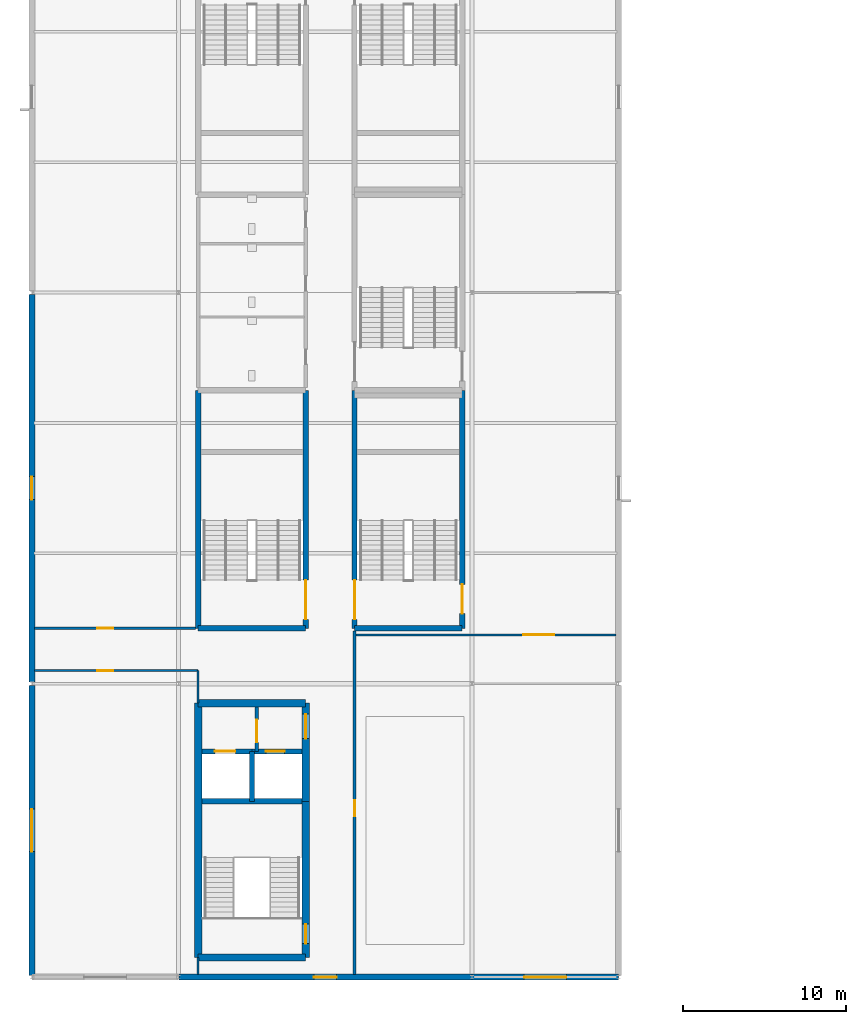
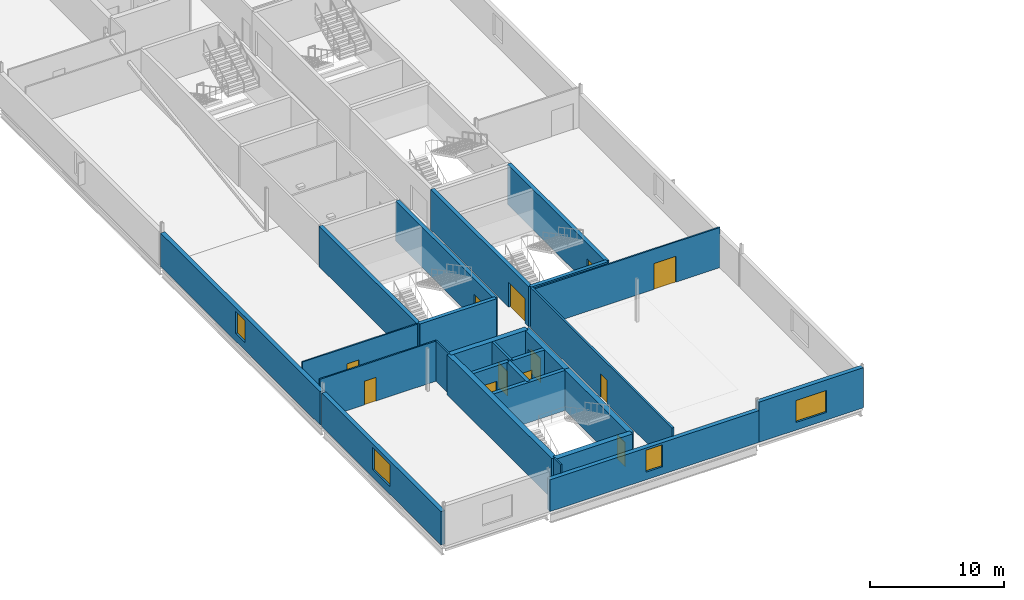
# One storey, part 19 of 35: 26 walls, 12 doors, 4 windows, 16 openings.
"""IFC4 building model written with IfcOpenShell, lengths in metres."""

from ifc_helpers import new_model, si_unit, direction, frame, frame_2d, origin, place, context, subcontext, project, spatial, rectangle, extrude, material, layer, layer_set, type_object, element, fill, save


model = new_model("IFC4")

# Units and contexts
model_context = context("Model", 3, precision=1e-05, world=origin(), true_north=direction((0.0, 1.0)))
body_context = subcontext(model_context, "Body", "Model", "MODEL_VIEW")
ifc_project = project(units=[si_unit("LENGTHUNIT", "METRE"), si_unit("AREAUNIT", "SQUARE_METRE"), si_unit("VOLUMEUNIT", "CUBIC_METRE"), si_unit("PLANEANGLEUNIT", "RADIAN"), si_unit("MASSUNIT", "GRAM", prefix="KILO")], contexts=[model_context])

# Site, building, storey
site_placement = place(None, origin())
site = spatial("IfcSite", under=ifc_project, at=site_placement, CompositionType="ELEMENT")
building_placement = place(site_placement, origin())
building = spatial("IfcBuilding", under=site, at=building_placement, Name="Kisiwana Market Hall", CompositionType="ELEMENT")
storey_placement = place(building_placement, frame((0.0, 0.0, 57.89990234375)))
storey = spatial("IfcBuildingStorey", under=building, at=storey_placement, Name="L13", CompositionType="ELEMENT", Elevation=57.89990234375)

# Wall, opening, door
ifc_material_1 = material(Name="Masonry blockwork", Category="masonry")
ifc_layer_1 = layer(ifc_material_1, 0.199951171875, Name="Plastered fire compartment block wall")
ifc_layer_set_1 = layer_set([ifc_layer_1], Name="WL-COMP-200")
wall_type_1 = type_object("IfcWallType", Name="WL-COMP-200", PredefinedType="PARTITIONING", material=ifc_layer_set_1)
wall_1_placement = place(storey_placement, frame((13.800048828125, 31.844970703125, 0.0), z_axis=(0.0, 0.0, 1.0), x_axis=(0.0, 1.0, 0.0)))
wall_1 = element("IfcWall", 1, at=wall_1_placement, inside=storey, type_object=wall_type_1, Name="Core W2 firefighting lobby wall W-3161", PredefinedType="PARTITIONING", context=body_context, shape_type="SweptSolid", body=[
    extrude(rectangle(XDim=2.72998046875, YDim=0.199951171875, at=frame_2d((1.364990234375, 0.0))), origin(), (0.0, 0.0, 1.0), 3.655029296875),
])
opening_1_placement = place(wall_1_placement, frame((0.550048828125, 0.0, 0.0)))
opening_1 = element("IfcOpeningElement", 2, at=opening_1_placement, cuts=wall_1, Name="Opening DR-L13-003", PredefinedType="OPENING", context=body_context, shape_type="SweptSolid", body=[
    extrude(rectangle(XDim=1.39990234375, YDim=2.25, at=frame_2d((0.699951171875, 1.125))), frame((0.0, 0.11181640625, 0.0), z_axis=(0.0, -1.0, 0.0), x_axis=(1.0, 0.0, 0.0)), (0.0, 0.0, 1.0), 0.223876953125),
])
ifc_material_2 = material(Name="Steel S275", Category="steel")
door_type_1 = type_object("IfcDoorType", Name="DR-FFLOB-FD120-1400", OperationType="DOUBLE_DOOR_SINGLE_SWING", PredefinedType="DOOR", material=ifc_material_2)
door_1_placement = place(opening_1_placement, frame((1.39990234375, 0.0, 0.0), z_axis=(0.0, 0.0, 1.0), x_axis=(-1.0, 0.0, 0.0)))
door_1 = element("IfcDoor", 3, at=door_1_placement, inside=storey, type_object=door_type_1, Name="Firefighting Lift Lobby W2 Door (L13)", OperationType="DOUBLE_DOOR_SINGLE_SWING", OverallHeight=2.25, OverallWidth=1.39990234375, PredefinedType="DOOR", context=body_context, shape_type="SweptSolid", body=[
    extrude(rectangle(XDim=1.39990234375, YDim=2.25, at=frame_2d((0.699951171875, 1.125))), frame((0.0, 0.02490234375, 0.0), z_axis=(0.0, -1.0, 0.0), x_axis=(1.0, 0.0, 0.0)), (0.0, 0.0, 1.0), 0.050048828125),
])
fill(opening_1, door_1)

# Walls
ifc_material_3 = material(Name="Concrete C40/50", Category="concrete")
ifc_layer_2 = layer(ifc_material_3, 0.320068359375, Name="Reinforced concrete shaft wall")
ifc_layer_set_2 = layer_set([ifc_layer_2], Name="WL-CORE-320")
wall_type_2 = type_object("IfcWallType", Name="WL-CORE-320", PredefinedType="SHEAR", material=ifc_layer_set_2)
wall_2_placement = place(storey_placement, frame((10.425048828125, 28.784912109375, 0.0), z_axis=(0.0, 0.0, 1.0), x_axis=(1.0, 0.0, 0.0)))
element("IfcWall", 4, at=wall_2_placement, inside=storey, type_object=wall_type_2, Name="Core W2 shaft back shear wall W-3054", PredefinedType="SHEAR", context=body_context, shape_type="SweptSolid", body=[
    extrude(rectangle(XDim=6.14990234375, YDim=0.320068359375, at=frame_2d((3.074951171875, 0.0))), origin(), (0.0, 0.0, 1.0), 3.655029296875),
])
wall_3_placement = place(storey_placement, frame((13.5, 28.784912109375, 0.0), z_axis=(0.0, 0.0, 1.0), x_axis=(0.0, 1.0, 0.0)))
element("IfcWall", 5, at=wall_3_placement, inside=storey, type_object=wall_type_2, Name="Core W2 inter-shaft shear wall W-3055", PredefinedType="SHEAR", context=body_context, shape_type="SweptSolid", body=[
    extrude(rectangle(XDim=3.06005859375, YDim=0.320068359375, at=frame_2d((1.530029296875, 0.0))), origin(), (0.0, 0.0, 1.0), 3.655029296875),
])

# Wall, opening, door
wall_4_placement = place(storey_placement, frame((10.425048828125, 31.844970703125, 0.0), z_axis=(0.0, 0.0, 1.0), x_axis=(1.0, 0.0, 0.0)))
wall_4 = element("IfcWall", 6, at=wall_4_placement, inside=storey, type_object=wall_type_2, Name="Core W2 west lift front wall W-3056", PredefinedType="SHEAR", context=body_context, shape_type="SweptSolid", body=[
    extrude(rectangle(XDim=3.074951171875, YDim=0.320068359375, at=frame_2d((1.53759765625, 0.0))), origin(), (0.0, 0.0, 1.0), 3.655029296875),
])
opening_2_placement = place(wall_4_placement, frame((0.800048828125, 0.0, 0.0)))
opening_2 = element("IfcOpeningElement", 7, at=opening_2_placement, cuts=wall_4, Name="Opening LD-L13-001", PredefinedType="OPENING", context=body_context, shape_type="SweptSolid", body=[
    extrude(rectangle(XDim=1.25, YDim=2.25, at=frame_2d((0.625, 1.125))), frame((0.0, 0.171875, 0.0), z_axis=(0.0, -1.0, 0.0), x_axis=(1.0, 0.0, 0.0)), (0.0, 0.0, 1.0), 0.343994140625),
])
ifc_material_4 = material(Name="Steel S275", Category="steel")
door_type_2 = type_object("IfcDoorType", Name="DR-LIFT-FFL-1250", OperationType="DOUBLE_DOOR_SLIDING", PredefinedType="DOOR", material=ifc_material_4)
door_2_placement = place(opening_2_placement, origin())
door_2 = element("IfcDoor", 8, at=door_2_placement, inside=storey, type_object=door_type_2, Name="Lift Landing Door FFL-01 (L13)", OperationType="DOUBLE_DOOR_SLIDING", OverallHeight=2.25, OverallWidth=1.25, PredefinedType="DOOR", context=body_context, shape_type="SweptSolid", body=[
    extrude(rectangle(XDim=1.25, YDim=2.25, at=frame_2d((0.625, 1.125))), frame((0.0, 0.02490234375, 0.0), z_axis=(0.0, -1.0, 0.0), x_axis=(1.0, 0.0, 0.0)), (0.0, 0.0, 1.0), 0.050048828125),
])
fill(opening_2, door_2)

wall_5_placement = place(storey_placement, frame((13.5, 31.844970703125, 0.0), z_axis=(0.0, 0.0, 1.0), x_axis=(1.0, 0.0, 0.0)))
wall_5 = element("IfcWall", 9, at=wall_5_placement, inside=storey, type_object=wall_type_2, Name="Core W2 east lift front wall W-3057", PredefinedType="SHEAR", context=body_context, shape_type="SweptSolid", body=[
    extrude(rectangle(XDim=3.074951171875, YDim=0.320068359375, at=frame_2d((1.53759765625, 0.0))), origin(), (0.0, 0.0, 1.0), 3.655029296875),
])
opening_3_placement = place(wall_5_placement, frame((0.85009765625, 0.0, 0.0)))
opening_3 = element("IfcOpeningElement", 10, at=opening_3_placement, cuts=wall_5, Name="Opening LD-L13-002", PredefinedType="OPENING", context=body_context, shape_type="SweptSolid", body=[
    extrude(rectangle(XDim=1.14990234375, YDim=2.199951171875, at=frame_2d((0.574951171875, 1.10009765625))), frame((0.0, 0.171875, 0.0), z_axis=(0.0, -1.0, 0.0), x_axis=(1.0, 0.0, 0.0)), (0.0, 0.0, 1.0), 0.343994140625),
])
ifc_material_5 = material(Name="Steel S275", Category="steel")
door_type_3 = type_object("IfcDoorType", Name="DR-LIFT-PAX-1150", OperationType="DOUBLE_DOOR_SLIDING", PredefinedType="DOOR", material=ifc_material_5)
door_3_placement = place(opening_3_placement, origin())
door_3 = element("IfcDoor", 11, at=door_3_placement, inside=storey, type_object=door_type_3, Name="Lift Landing Door LP-01 (L13)", OperationType="DOUBLE_DOOR_SLIDING", OverallHeight=2.199951171875, OverallWidth=1.14990234375, PredefinedType="DOOR", context=body_context, shape_type="SweptSolid", body=[
    extrude(rectangle(XDim=1.14990234375, YDim=2.199951171875, at=frame_2d((0.574951171875, 1.10009765625))), frame((0.0, 0.02490234375, 0.0), z_axis=(0.0, -1.0, 0.0), x_axis=(1.0, 0.0, 0.0)), (0.0, 0.0, 1.0), 0.050048828125),
])
fill(opening_3, door_3)

# Walls
wall_6_placement = place(storey_placement, frame((10.199951171875, 39.39990234375, 0.0), z_axis=(0.0, 0.0, 1.0), x_axis=(1.0, 0.0, 0.0)))
element("IfcWall", 12, at=wall_6_placement, inside=storey, type_object=wall_type_2, Name="Core W3 south shear wall W-3085", PredefinedType="SHEAR", context=body_context, shape_type="SweptSolid", body=[
    extrude(rectangle(XDim=6.60009765625, YDim=0.320068359375, at=frame_2d((3.300048828125, 0.0))), origin(), (0.0, 0.0, 1.0), 3.655029296875),
])
wall_7_placement = place(storey_placement, frame((10.199951171875, 39.39990234375, 0.0), z_axis=(0.0, 0.0, 1.0), x_axis=(0.0, 1.0, 0.0)))
element("IfcWall", 13, at=wall_7_placement, inside=storey, type_object=wall_type_2, Name="Core W3 outer shear wall W-3087", PredefinedType="SHEAR", context=body_context, shape_type="SweptSolid", body=[
    extrude(rectangle(XDim=14.60009765625, YDim=0.320068359375, at=frame_2d((7.300048828125, 0.0))), origin(), (0.0, 0.0, 1.0), 3.655029296875),
])

# Wall, opening, door
wall_8_placement = place(storey_placement, frame((16.800048828125, 39.39990234375, 0.0), z_axis=(0.0, 0.0, 1.0), x_axis=(0.0, 1.0, 0.0)))
wall_8 = element("IfcWall", 14, at=wall_8_placement, inside=storey, type_object=wall_type_2, Name="Core W3 corridor shear wall W-3088", PredefinedType="SHEAR", context=body_context, shape_type="SweptSolid", body=[
    extrude(rectangle(XDim=14.60009765625, YDim=0.320068359375, at=frame_2d((7.300048828125, 0.0))), origin(), (0.0, 0.0, 1.0), 3.655029296875),
])
opening_4_placement = place(wall_8_placement, frame((0.550048828125, 0.0, 0.0)))
opening_4 = element("IfcOpeningElement", 15, at=opening_4_placement, cuts=wall_8, Name="Opening DR-L13-013", PredefinedType="OPENING", context=body_context, shape_type="SweptSolid", body=[
    extrude(rectangle(XDim=2.39990234375, YDim=2.25, at=frame_2d((1.199951171875, 1.125))), frame((0.0, 0.171875, 0.0), z_axis=(0.0, -1.0, 0.0), x_axis=(1.0, 0.0, 0.0)), (0.0, 0.0, 1.0), 0.343994140625),
])
ifc_material_6 = material(Name="Steel S275", Category="steel")
door_type_4 = type_object("IfcDoorType", Name="DR-STAIR-FD120-2400", OperationType="DOUBLE_DOOR_SINGLE_SWING", PredefinedType="DOOR", material=ifc_material_6)
door_4_placement = place(opening_4_placement, origin())
door_4 = element("IfcDoor", 16, at=door_4_placement, inside=storey, type_object=door_type_4, Name="Escape Stair W3 Fire Door (L13)", OperationType="DOUBLE_DOOR_SINGLE_SWING", OverallHeight=2.25, OverallWidth=2.39990234375, PredefinedType="DOOR", context=body_context, shape_type="SweptSolid", body=[
    extrude(rectangle(XDim=2.39990234375, YDim=2.25, at=frame_2d((1.199951171875, 1.125))), frame((0.0, 0.02490234375, 0.0), z_axis=(0.0, -1.0, 0.0), x_axis=(1.0, 0.0, 0.0)), (0.0, 0.0, 1.0), 0.050048828125),
])
fill(opening_4, door_4)

# Wall
wall_9_placement = place(storey_placement, frame((19.800048828125, 39.39990234375, 0.0), z_axis=(0.0, 0.0, 1.0), x_axis=(1.0, 0.0, 0.0)))
element("IfcWall", 17, at=wall_9_placement, inside=storey, type_object=wall_type_2, Name="Core W7 south shear wall W-3105", PredefinedType="SHEAR", context=body_context, shape_type="SweptSolid", body=[
    extrude(rectangle(XDim=6.599853515625, YDim=0.320068359375, at=frame_2d((3.2998046875, 0.0))), origin(), (0.0, 0.0, 1.0), 3.655029296875),
])

# Wall, opening, door
wall_10_placement = place(storey_placement, frame((19.800048828125, 39.39990234375, 0.0), z_axis=(0.0, 0.0, 1.0), x_axis=(0.0, 1.0, 0.0)))
wall_10 = element("IfcWall", 18, at=wall_10_placement, inside=storey, type_object=wall_type_2, Name="Core W7 corridor shear wall W-3107", PredefinedType="SHEAR", context=body_context, shape_type="SweptSolid", body=[
    extrude(rectangle(XDim=14.60009765625, YDim=0.320068359375, at=frame_2d((7.300048828125, 0.0))), origin(), (0.0, 0.0, 1.0), 3.655029296875),
])
opening_5_placement = place(wall_10_placement, frame((0.550048828125, 0.0, 0.0)))
opening_5 = element("IfcOpeningElement", 19, at=opening_5_placement, cuts=wall_10, Name="Opening DR-L13-017", PredefinedType="OPENING", context=body_context, shape_type="SweptSolid", body=[
    extrude(rectangle(XDim=2.39990234375, YDim=2.25, at=frame_2d((1.199951171875, 1.125))), frame((0.0, 0.171875, 0.0), z_axis=(0.0, -1.0, 0.0), x_axis=(1.0, 0.0, 0.0)), (0.0, 0.0, 1.0), 0.343994140625),
])
door_5_placement = place(opening_5_placement, frame((2.39990234375, 0.0, 0.0), z_axis=(0.0, 0.0, 1.0), x_axis=(-1.0, 0.0, 0.0)))
door_5 = element("IfcDoor", 20, at=door_5_placement, inside=storey, type_object=door_type_4, Name="Escape Stair W7 Fire Door (L13)", OperationType="DOUBLE_DOOR_SINGLE_SWING", OverallHeight=2.25, OverallWidth=2.39990234375, PredefinedType="DOOR", context=body_context, shape_type="SweptSolid", body=[
    extrude(rectangle(XDim=2.39990234375, YDim=2.25, at=frame_2d((1.199951171875, 1.125))), frame((0.0, 0.02490234375, 0.0), z_axis=(0.0, -1.0, 0.0), x_axis=(1.0, 0.0, 0.0)), (0.0, 0.0, 1.0), 0.050048828125),
])
fill(opening_5, door_5)

wall_11_placement = place(storey_placement, frame((26.39990234375, 39.39990234375, 0.0), z_axis=(0.0, 0.0, 1.0), x_axis=(0.0, 1.0, 0.0)))
wall_11 = element("IfcWall", 21, at=wall_11_placement, inside=storey, type_object=wall_type_2, Name="Core W7 outer shear wall W-3108", PredefinedType="SHEAR", context=body_context, shape_type="SweptSolid", body=[
    extrude(rectangle(XDim=14.60009765625, YDim=0.320068359375, at=frame_2d((7.300048828125, 0.0))), origin(), (0.0, 0.0, 1.0), 3.655029296875),
])
opening_6_placement = place(wall_11_placement, frame((0.89990234375, 0.0, 0.0)))
opening_6 = element("IfcOpeningElement", 22, at=opening_6_placement, cuts=wall_11, Name="Opening DR-L13-018", PredefinedType="OPENING", context=body_context, shape_type="SweptSolid", body=[
    extrude(rectangle(XDim=1.800048828125, YDim=2.25, at=frame_2d((0.89990234375, 1.125))), frame((0.0, 0.171875, 0.0), z_axis=(0.0, -1.0, 0.0), x_axis=(1.0, 0.0, 0.0)), (0.0, 0.0, 1.0), 0.343994140625),
])
ifc_material_7 = material(Name="Steel S275", Category="steel")
door_type_5 = type_object("IfcDoorType", Name="DR-STAIR-FD120-1800", OperationType="DOUBLE_DOOR_SINGLE_SWING", PredefinedType="DOOR", material=ifc_material_7)
door_6_placement = place(opening_6_placement, origin())
door_6 = element("IfcDoor", 23, at=door_6_placement, inside=storey, type_object=door_type_5, Name="Escape Stair W7 Room Door (L13)", OperationType="DOUBLE_DOOR_SINGLE_SWING", OverallHeight=2.25, OverallWidth=1.800048828125, PredefinedType="DOOR", context=body_context, shape_type="SweptSolid", body=[
    extrude(rectangle(XDim=1.800048828125, YDim=2.25, at=frame_2d((0.89990234375, 1.125))), frame((0.0, 0.02490234375, 0.0), z_axis=(0.0, -1.0, 0.0), x_axis=(1.0, 0.0, 0.0)), (0.0, 0.0, 1.0), 0.050048828125),
])
fill(opening_6, door_6)

# Walls
ifc_material_8 = material(Name="Concrete C40/50", Category="concrete")
ifc_layer_3 = layer(ifc_material_8, 0.449951171875, Name="Reinforced concrete core wall")
ifc_layer_set_3 = layer_set([ifc_layer_3], Name="WL-CORE-450")
wall_type_3 = type_object("IfcWallType", Name="WL-CORE-450", PredefinedType="SHEAR", material=ifc_layer_set_3)
for number, where, z_axis, x_axis, name in (
    (24, (10.199951171875, 19.199951171875, 0.0), (0.0, 0.0, 1.0), (1.0, 0.0, 0.0), "Core W2 south shear wall W-3049"),
    (25, (10.199951171875, 34.800048828125, 0.0), (0.0, 0.0, 1.0), (1.0, 0.0, 0.0), "Core W2 north shear wall W-3050"),
):
    element("IfcWall", number, at=place(storey_placement, frame(where, z_axis=z_axis, x_axis=x_axis)), inside=storey, type_object=wall_type_3, Name=name, PredefinedType="SHEAR", context=body_context, shape_type="SweptSolid", body=[
        extrude(rectangle(XDim=6.60009765625, YDim=0.449951171875, at=frame_2d((3.300048828125, 0.0))), origin(), (0.0, 0.0, 1.0), 3.655029296875),
    ])
wall_12_placement = place(storey_placement, frame((10.199951171875, 19.199951171875, 0.0), z_axis=(0.0, 0.0, 1.0), x_axis=(0.0, 1.0, 0.0)))
element("IfcWall", 26, at=wall_12_placement, inside=storey, type_object=wall_type_3, Name="Core W2 outer shear wall W-3051", PredefinedType="SHEAR", context=body_context, shape_type="SweptSolid", body=[
    extrude(rectangle(XDim=15.60009765625, YDim=0.449951171875, at=frame_2d((7.800048828125, 0.0))), origin(), (0.0, 0.0, 1.0), 3.655029296875),
])

# Wall, opening, door
wall_13_placement = place(storey_placement, frame((16.800048828125, 19.199951171875, 0.0), z_axis=(0.0, 0.0, 1.0), x_axis=(0.0, 1.0, 0.0)))
wall_13 = element("IfcWall", 27, at=wall_13_placement, inside=storey, type_object=wall_type_3, Name="Core W2 stair corridor shear wall W-3052", PredefinedType="SHEAR", context=body_context, shape_type="SweptSolid", body=[
    extrude(rectangle(XDim=9.5849609375, YDim=0.449951171875, at=frame_2d((4.79248046875, 0.0))), origin(), (0.0, 0.0, 1.0), 3.655029296875),
])
opening_7_placement = place(wall_13_placement, frame((0.85009765625, 0.0, 0.0)))
opening_7 = element("IfcOpeningElement", 28, at=opening_7_placement, cuts=wall_13, Name="Opening DR-L13-001", PredefinedType="OPENING", context=body_context, shape_type="SweptSolid", body=[
    extrude(rectangle(XDim=1.199951171875, YDim=2.199951171875, at=frame_2d((0.60009765625, 1.10009765625))), frame((0.0, 0.23681640625, 0.0), z_axis=(0.0, -1.0, 0.0), x_axis=(1.0, 0.0, 0.0)), (0.0, 0.0, 1.0), 0.473876953125),
])
ifc_material_9 = material(Name="Steel S275", Category="steel")
door_type_6 = type_object("IfcDoorType", Name="DR-STAIR-FD120-1200", OperationType="NOTDEFINED", PredefinedType="DOOR", material=ifc_material_9)
door_7_placement = place(opening_7_placement, origin())
door_7 = element("IfcDoor", 29, at=door_7_placement, inside=storey, type_object=door_type_6, Name="Escape Stair W2 Fire Door (L13)", OperationType="SINGLE_SWING_LEFT", OverallHeight=2.199951171875, OverallWidth=1.199951171875, PredefinedType="DOOR", context=body_context, shape_type="SweptSolid", body=[
    extrude(rectangle(XDim=1.199951171875, YDim=2.199951171875, at=frame_2d((0.60009765625, 1.10009765625))), frame((0.0, 0.02490234375, 0.0), z_axis=(0.0, -1.0, 0.0), x_axis=(1.0, 0.0, 0.0)), (0.0, 0.0, 1.0), 0.050048828125),
])
fill(opening_7, door_7)

wall_14_placement = place(storey_placement, frame((16.800048828125, 28.784912109375, 0.0), z_axis=(0.0, 0.0, 1.0), x_axis=(0.0, 1.0, 0.0)))
wall_14 = element("IfcWall", 30, at=wall_14_placement, inside=storey, type_object=wall_type_3, Name="Core W2 lobby corridor shear wall W-3053", PredefinedType="SHEAR", context=body_context, shape_type="SweptSolid", body=[
    extrude(rectangle(XDim=6.01513671875, YDim=0.449951171875, at=frame_2d((3.007568359375, 0.0))), origin(), (0.0, 0.0, 1.0), 3.655029296875),
])
opening_8_placement = place(wall_14_placement, frame((3.85009765625, 0.0, 0.0)))
opening_8 = element("IfcOpeningElement", 31, at=opening_8_placement, cuts=wall_14, Name="Opening DR-L13-002", PredefinedType="OPENING", context=body_context, shape_type="SweptSolid", body=[
    extrude(rectangle(XDim=1.5, YDim=2.199951171875, at=frame_2d((0.75, 1.10009765625))), frame((0.0, 0.23681640625, 0.0), z_axis=(0.0, -1.0, 0.0), x_axis=(1.0, 0.0, 0.0)), (0.0, 0.0, 1.0), 0.473876953125),
])
ifc_material_10 = material(Name="Steel S275", Category="steel")
door_type_7 = type_object("IfcDoorType", Name="DR-CORR-FD60-1500", OperationType="DOUBLE_DOOR_SINGLE_SWING", PredefinedType="DOOR", material=ifc_material_10)
door_8_placement = place(opening_8_placement, frame((1.5, 0.0, 0.0), z_axis=(0.0, 0.0, 1.0), x_axis=(-1.0, 0.0, 0.0)))
door_8 = element("IfcDoor", 32, at=door_8_placement, inside=storey, type_object=door_type_7, Name="Passenger Lift Lobby W2 Smoke Door (L13)", OperationType="DOUBLE_DOOR_SINGLE_SWING", OverallHeight=2.199951171875, OverallWidth=1.5, PredefinedType="DOOR", context=body_context, shape_type="SweptSolid", body=[
    extrude(rectangle(XDim=1.5, YDim=2.199951171875, at=frame_2d((0.75, 1.10009765625))), frame((0.0, 0.02490234375, 0.0), z_axis=(0.0, -1.0, 0.0), x_axis=(1.0, 0.0, 0.0)), (0.0, 0.0, 1.0), 0.050048828125),
])
fill(opening_8, door_8)

ifc_material_11 = material(Name="Masonry blockwork", Category="masonry")
ifc_layer_4 = layer(ifc_material_11, 0.169921875, Name="Protected corridor partition")
ifc_layer_set_4 = layer_set([ifc_layer_4], Name="WL-CORR-170")
wall_type_4 = type_object("IfcWallType", Name="WL-CORR-170", PredefinedType="PARTITIONING", material=ifc_layer_set_4)
wall_15_placement = place(storey_placement, frame((19.800048828125, 18.157470703125, 0.0), z_axis=(0.0, 0.0, 1.0), x_axis=(0.0, 1.0, 0.0)))
wall_15 = element("IfcWall", 33, at=wall_15_placement, inside=storey, type_object=wall_type_4, Name="Interior partition W-3180", PredefinedType="PARTITIONING", context=body_context, shape_type="SweptSolid", body=[
    extrude(rectangle(XDim=21.08251953125, YDim=0.169921875, at=frame_2d((10.541259765625, 0.0))), origin(), (0.0, 0.0, 1.0), 3.655029296875),
])
opening_9_placement = place(wall_15_placement, frame((9.702880859375, 0.0, 0.0)))
opening_9 = element("IfcOpeningElement", 34, at=opening_9_placement, cuts=wall_15, Name="Opening DR-L13-035", PredefinedType="OPENING", context=body_context, shape_type="SweptSolid", body=[
    extrude(rectangle(XDim=0.97998046875, YDim=2.14990234375, at=frame_2d((0.489990234375, 1.074951171875))), frame((0.0, 0.096923828125, 0.0), z_axis=(0.0, -1.0, 0.0), x_axis=(1.0, 0.0, 0.0)), (0.0, 0.0, 1.0), 0.19384765625),
])
ifc_material_12 = material(Name="Hardwood timber", Category="wood")
door_type_8 = type_object("IfcDoorType", Name="DR-STOR-FD60-0980", OperationType="NOTDEFINED", PredefinedType="DOOR", material=ifc_material_12)
door_9_placement = place(opening_9_placement, frame((0.97998046875, 0.0, 0.0), z_axis=(0.0, 0.0, 1.0), x_axis=(-1.0, 0.0, 0.0)))
door_9 = element("IfcDoor", 35, at=door_9_placement, inside=storey, type_object=door_type_8, Name="L13 W Executive Office C1 Door", OperationType="SINGLE_SWING_RIGHT", OverallHeight=2.14990234375, OverallWidth=0.97998046875, PredefinedType="DOOR", context=body_context, shape_type="SweptSolid", body=[
    extrude(rectangle(XDim=0.97998046875, YDim=2.14990234375, at=frame_2d((0.489990234375, 1.074951171875))), frame((0.0, 0.02490234375, 0.0), z_axis=(0.0, -1.0, 0.0), x_axis=(1.0, 0.0, 0.0)), (0.0, 0.0, 1.0), 0.050048828125),
])
fill(opening_9, door_9)

# Wall, opening, window
ifc_material_13 = material(Name="Concrete C40/50 precast", Category="concrete")
ifc_layer_5 = layer(ifc_material_13, 0.364990234375)
ifc_layer_set_5 = layer_set([ifc_layer_5], Name="WL-EXT-365")
wall_type_5 = type_object("IfcWallType", Name="WL-EXT-365", PredefinedType="STANDARD", material=ifc_layer_set_5)
wall_16_placement = place(storey_placement, frame((9.010009765625, 18.0, 0.0), z_axis=(0.0, 0.0, 1.0), x_axis=(1.0, 0.0, 0.0)))
wall_16 = element("IfcWall", 36, at=wall_16_placement, inside=storey, type_object=wall_type_5, Name="Exterior wall W-3134", PredefinedType="STANDARD", context=body_context, shape_type="SweptSolid", body=[
    extrude(rectangle(XDim=17.97998046875, YDim=0.364990234375, at=frame_2d((8.989990234375, 0.0))), origin(), (0.0, 0.0, 1.0), 2.892822265625),
])
opening_10_placement = place(wall_16_placement, frame((8.2900390625, 0.0, 0.699951171875)))
opening_10 = element("IfcOpeningElement", 37, at=opening_10_placement, cuts=wall_16, Name="Opening WN-05", PredefinedType="OPENING", context=body_context, shape_type="SweptSolid", body=[
    extrude(rectangle(XDim=1.39990234375, YDim=2.0, at=frame_2d((0.699951171875, 1.0))), frame((0.0, 0.1943359375, 0.0), z_axis=(0.0, -1.0, 0.0), x_axis=(1.0, 0.0, 0.0)), (0.0, 0.0, 1.0), 0.388916015625),
])
ifc_material_14 = material(Name="Double-glazed solar-control low-E IGU", Category="glass")
window_type_1 = type_object("IfcWindowType", Name="WN-OFFC-1400x2000", PartitioningType="SINGLE_PANEL", PredefinedType="WINDOW", material=ifc_material_14)
window_1_placement = place(opening_10_placement, origin())
window_1 = element("IfcWindow", 38, at=window_1_placement, inside=storey, type_object=window_type_1, Name="Exterior window WN-354", OverallHeight=2.0, OverallWidth=1.39990234375, PartitioningType="SINGLE_PANEL", PredefinedType="WINDOW", context=body_context, shape_type="SweptSolid", body=[
    extrude(rectangle(XDim=1.39990234375, YDim=2.0, at=frame_2d((0.699951171875, 1.0))), frame((0.0, 0.030029296875, 0.0), z_axis=(0.0, -1.0, 0.0), x_axis=(1.0, 0.0, 0.0)), (0.0, 0.0, 1.0), 0.06005859375),
])
fill(opening_10, window_1)

wall_17_placement = place(storey_placement, frame((27.010009765625, 18.0, 0.0), z_axis=(0.0, 0.0, 1.0), x_axis=(1.0, 0.0, 0.0)))
wall_17 = element("IfcWall", 39, at=wall_17_placement, inside=storey, type_object=wall_type_5, Name="Exterior wall W-3135", PredefinedType="STANDARD", context=body_context, shape_type="SweptSolid", body=[
    extrude(rectangle(XDim=8.97998046875, YDim=0.364990234375, at=frame_2d((4.489990234375, 0.0))), origin(), (0.0, 0.0, 1.0), 3.655029296875),
])
opening_11_placement = place(wall_17_placement, frame((3.18994140625, 0.0, 0.699951171875)))
opening_11 = element("IfcOpeningElement", 40, at=opening_11_placement, cuts=wall_17, Name="Opening WN-13", PredefinedType="OPENING", context=body_context, shape_type="SweptSolid", body=[
    extrude(rectangle(XDim=2.60009765625, YDim=2.0, at=frame_2d((1.300048828125, 1.0))), frame((0.0, 0.1943359375, 0.0), z_axis=(0.0, -1.0, 0.0), x_axis=(1.0, 0.0, 0.0)), (0.0, 0.0, 1.0), 0.388916015625),
])
ifc_material_15 = material(Name="Double-glazed solar-control low-E IGU", Category="glass")
window_type_2 = type_object("IfcWindowType", Name="WN-OFFC-2600x2000", PartitioningType="SINGLE_PANEL", PredefinedType="WINDOW", material=ifc_material_15)
window_2_placement = place(opening_11_placement, origin())
window_2 = element("IfcWindow", 41, at=window_2_placement, inside=storey, type_object=window_type_2, Name="Exterior window WN-367", OverallHeight=2.0, OverallWidth=2.60009765625, PartitioningType="SINGLE_PANEL", PredefinedType="WINDOW", context=body_context, shape_type="SweptSolid", body=[
    extrude(rectangle(XDim=2.60009765625, YDim=2.0, at=frame_2d((1.300048828125, 1.0))), frame((0.0, 0.030029296875, 0.0), z_axis=(0.0, -1.0, 0.0), x_axis=(1.0, 0.0, 0.0)), (0.0, 0.0, 1.0), 0.06005859375),
])
fill(opening_11, window_2)

wall_18_placement = place(storey_placement, frame((0.0, 18.107666015625, 0.0), z_axis=(0.0, 0.0, 1.0), x_axis=(0.0, 1.0, 0.0)))
wall_18 = element("IfcWall", 42, at=wall_18_placement, inside=storey, type_object=wall_type_5, Name="Exterior wall W-3145", PredefinedType="STANDARD", context=body_context, shape_type="SweptSolid", body=[
    extrude(rectangle(XDim=17.78466796875, YDim=0.364990234375, at=frame_2d((8.892333984375, 0.0))), origin(), (0.0, 0.0, 1.0), 3.04296875),
])
opening_12_placement = place(wall_18_placement, frame((7.59228515625, 0.0, 0.699951171875)))
opening_12 = element("IfcOpeningElement", 43, at=opening_12_placement, cuts=wall_18, Name="Opening WN-13", PredefinedType="OPENING", context=body_context, shape_type="SweptSolid", body=[
    extrude(rectangle(XDim=2.60009765625, YDim=2.0, at=frame_2d((1.300048828125, 1.0))), frame((0.0, 0.1943359375, 0.0), z_axis=(0.0, -1.0, 0.0), x_axis=(1.0, 0.0, 0.0)), (0.0, 0.0, 1.0), 0.388916015625),
])
window_3_placement = place(opening_12_placement, origin())
window_3 = element("IfcWindow", 44, at=window_3_placement, inside=storey, type_object=window_type_2, Name="Exterior window WN-374", OverallHeight=2.0, OverallWidth=2.60009765625, PartitioningType="SINGLE_PANEL", PredefinedType="WINDOW", context=body_context, shape_type="SweptSolid", body=[
    extrude(rectangle(XDim=2.60009765625, YDim=2.0, at=frame_2d((1.300048828125, 1.0))), frame((0.0, 0.030029296875, 0.0), z_axis=(0.0, -1.0, 0.0), x_axis=(1.0, 0.0, 0.0)), (0.0, 0.0, 1.0), 0.06005859375),
])
fill(opening_12, window_3)

wall_19_placement = place(storey_placement, frame((0.0, 36.107666015625, 0.0), z_axis=(0.0, 0.0, 1.0), x_axis=(0.0, 1.0, 0.0)))
wall_19 = element("IfcWall", 45, at=wall_19_placement, inside=storey, type_object=wall_type_5, Name="Exterior wall W-3146", PredefinedType="STANDARD", context=body_context, shape_type="SweptSolid", body=[
    extrude(rectangle(XDim=23.78466796875, YDim=0.364990234375, at=frame_2d((11.892333984375, 0.0))), origin(), (0.0, 0.0, 1.0), 3.04296875),
])
opening_13_placement = place(wall_19_placement, frame((11.1923828125, 0.0, 0.699951171875)))
opening_13 = element("IfcOpeningElement", 46, at=opening_13_placement, cuts=wall_19, Name="Opening WN-05", PredefinedType="OPENING", context=body_context, shape_type="SweptSolid", body=[
    extrude(rectangle(XDim=1.39990234375, YDim=2.0, at=frame_2d((0.699951171875, 1.0))), frame((0.0, 0.1943359375, 0.0), z_axis=(0.0, -1.0, 0.0), x_axis=(1.0, 0.0, 0.0)), (0.0, 0.0, 1.0), 0.388916015625),
])
window_4_placement = place(opening_13_placement, origin())
window_4 = element("IfcWindow", 47, at=window_4_placement, inside=storey, type_object=window_type_1, Name="Exterior window WN-358", OverallHeight=2.0, OverallWidth=1.39990234375, PartitioningType="SINGLE_PANEL", PredefinedType="WINDOW", context=body_context, shape_type="SweptSolid", body=[
    extrude(rectangle(XDim=1.39990234375, YDim=2.0, at=frame_2d((0.699951171875, 1.0))), frame((0.0, 0.030029296875, 0.0), z_axis=(0.0, -1.0, 0.0), x_axis=(1.0, 0.0, 0.0)), (0.0, 0.0, 1.0), 0.06005859375),
])
fill(opening_13, window_4)

# Walls
ifc_material_16 = material(Name="Gypsum plasterboard")
ifc_layer_6 = layer(ifc_material_16, 0.125, Name="Double gypsum board + acoustic stud")
ifc_layer_set_6 = layer_set([ifc_layer_6], Name="WL-OFF-125")
wall_type_6 = type_object("IfcWallType", Name="WL-OFF-125", PredefinedType="PARTITIONING", material=ifc_layer_set_6)
wall_20_placement = place(storey_placement, frame((10.199951171875, 34.800048828125, 0.0), z_axis=(0.0, 0.0, 1.0), x_axis=(0.0, 1.0, 0.0)))
element("IfcWall", 48, at=wall_20_placement, inside=storey, type_object=wall_type_6, Name="Interior partition W-3169", PredefinedType="PARTITIONING", context=body_context, shape_type="SweptSolid", body=[
    extrude(rectangle(XDim=2.0, YDim=0.125, at=frame_2d((1.0, 0.0))), origin(), (0.0, 0.0, 1.0), 3.655029296875),
])
wall_21_placement = place(storey_placement, frame((10.199951171875, 18.157470703125, 0.0), z_axis=(0.0, 0.0, 1.0), x_axis=(0.0, 1.0, 0.0)))
element("IfcWall", 49, at=wall_21_placement, inside=storey, type_object=wall_type_6, Name="Interior partition W-3171", PredefinedType="PARTITIONING", context=body_context, shape_type="SweptSolid", body=[
    extrude(rectangle(XDim=1.04248046875, YDim=0.125, at=frame_2d((0.521240234375, 0.0))), origin(), (0.0, 0.0, 1.0), 3.655029296875),
])

# Wall, opening, door
wall_22_placement = place(storey_placement, frame((0.157470703125, 36.800048828125, 0.0), z_axis=(0.0, 0.0, 1.0), x_axis=(1.0, 0.0, 0.0)))
wall_22 = element("IfcWall", 50, at=wall_22_placement, inside=storey, type_object=wall_type_6, Name="Interior partition W-3173", PredefinedType="PARTITIONING", context=body_context, shape_type="SweptSolid", body=[
    extrude(rectangle(XDim=10.04248046875, YDim=0.125, at=frame_2d((5.021240234375, 0.0))), origin(), (0.0, 0.0, 1.0), 3.655029296875),
])
opening_14_placement = place(wall_22_placement, frame((3.842041015625, 0.0, 0.0)))
opening_14 = element("IfcOpeningElement", 51, at=opening_14_placement, cuts=wall_22, Name="Opening DR-L13-030", PredefinedType="OPENING", context=body_context, shape_type="SweptSolid", body=[
    extrude(rectangle(XDim=1.0, YDim=2.14990234375, at=frame_2d((0.5, 1.074951171875))), frame((0.0, 0.074462890625, 0.0), z_axis=(0.0, -1.0, 0.0), x_axis=(1.0, 0.0, 0.0)), (0.0, 0.0, 1.0), 0.14892578125),
])
ifc_material_17 = material(Name="Aluminium alloy 6063-T6", Category="aluminium")
door_type_9 = type_object("IfcDoorType", Name="DR-OFF-1000", OperationType="NOTDEFINED", PredefinedType="DOOR", material=ifc_material_17)
door_10_placement = place(opening_14_placement, frame((1.0, 0.0, 0.0), z_axis=(0.0, 0.0, 1.0), x_axis=(-1.0, 0.0, 0.0)))
door_10 = element("IfcDoor", 52, at=door_10_placement, inside=storey, type_object=door_type_9, Name="L13 W Commercial Office South Door", OperationType="SINGLE_SWING_RIGHT", OverallHeight=2.14990234375, OverallWidth=1.0, PredefinedType="DOOR", context=body_context, shape_type="SweptSolid", body=[
    extrude(rectangle(XDim=1.0, YDim=2.14990234375, at=frame_2d((0.5, 1.074951171875))), frame((0.0, 0.02490234375, 0.0), z_axis=(0.0, -1.0, 0.0), x_axis=(1.0, 0.0, 0.0)), (0.0, 0.0, 1.0), 0.050048828125),
])
fill(opening_14, door_10)

wall_23_placement = place(storey_placement, frame((0.157470703125, 39.39990234375, 0.0), z_axis=(0.0, 0.0, 1.0), x_axis=(1.0, 0.0, 0.0)))
wall_23 = element("IfcWall", 53, at=wall_23_placement, inside=storey, type_object=wall_type_6, Name="Interior partition W-3174", PredefinedType="PARTITIONING", context=body_context, shape_type="SweptSolid", body=[
    extrude(rectangle(XDim=9.882568359375, YDim=0.125, at=frame_2d((4.94140625, 0.0))), origin(), (0.0, 0.0, 1.0), 3.655029296875),
])
opening_15_placement = place(wall_23_placement, frame((3.842041015625, 0.0, 0.0)))
opening_15 = element("IfcOpeningElement", 54, at=opening_15_placement, cuts=wall_23, Name="Opening DR-L13-031", PredefinedType="OPENING", context=body_context, shape_type="SweptSolid", body=[
    extrude(rectangle(XDim=1.0, YDim=2.14990234375, at=frame_2d((0.5, 1.074951171875))), frame((0.0, 0.074462890625, 0.0), z_axis=(0.0, -1.0, 0.0), x_axis=(1.0, 0.0, 0.0)), (0.0, 0.0, 1.0), 0.14892578125),
])
door_11_placement = place(opening_15_placement, origin())
door_11 = element("IfcDoor", 55, at=door_11_placement, inside=storey, type_object=door_type_9, Name="L13 W Commercial Office Central Door", OperationType="SINGLE_SWING_LEFT", OverallHeight=2.14990234375, OverallWidth=1.0, PredefinedType="DOOR", context=body_context, shape_type="SweptSolid", body=[
    extrude(rectangle(XDim=1.0, YDim=2.14990234375, at=frame_2d((0.5, 1.074951171875))), frame((0.0, 0.02490234375, 0.0), z_axis=(0.0, -1.0, 0.0), x_axis=(1.0, 0.0, 0.0)), (0.0, 0.0, 1.0), 0.050048828125),
])
fill(opening_15, door_11)

wall_24_placement = place(storey_placement, frame((19.885009765625, 39.0, 0.0), z_axis=(0.0, 0.0, 1.0), x_axis=(1.0, 0.0, 0.0)))
wall_24 = element("IfcWall", 56, at=wall_24_placement, inside=storey, type_object=wall_type_6, Name="Interior partition W-3177", PredefinedType="PARTITIONING", context=body_context, shape_type="SweptSolid", body=[
    extrude(rectangle(XDim=15.95751953125, YDim=0.125, at=frame_2d((7.978759765625, 0.0))), origin(), (0.0, 0.0, 1.0), 3.655029296875),
])
opening_16_placement = place(wall_24_placement, frame((10.264892578125, 0.0, 0.0)))
opening_16 = element("IfcOpeningElement", 57, at=opening_16_placement, cuts=wall_24, Name="Opening DR-L13-033", PredefinedType="OPENING", context=body_context, shape_type="SweptSolid", body=[
    extrude(rectangle(XDim=1.89990234375, YDim=2.35009765625, at=frame_2d((0.949951171875, 1.175048828125))), frame((0.0, 0.074462890625, 0.0), z_axis=(0.0, -1.0, 0.0), x_axis=(1.0, 0.0, 0.0)), (0.0, 0.0, 1.0), 0.14892578125),
])
ifc_material_18 = material(Name="Steel S275", Category="steel")
door_type_10 = type_object("IfcDoorType", Name="DR-HALL-1900", OperationType="DOUBLE_DOOR_SINGLE_SWING", PredefinedType="DOOR", material=ifc_material_18)
door_12_placement = place(opening_16_placement, origin())
door_12 = element("IfcDoor", 58, at=door_12_placement, inside=storey, type_object=door_type_10, Name="L13 W Director Boardroom C2 Exit Door", OperationType="DOUBLE_DOOR_SINGLE_SWING", OverallHeight=2.35009765625, OverallWidth=1.89990234375, PredefinedType="DOOR", context=body_context, shape_type="SweptSolid", body=[
    extrude(rectangle(XDim=1.89990234375, YDim=2.35009765625, at=frame_2d((0.949951171875, 1.175048828125))), frame((0.0, 0.02490234375, 0.0), z_axis=(0.0, -1.0, 0.0), x_axis=(1.0, 0.0, 0.0)), (0.0, 0.0, 1.0), 0.050048828125),
])
fill(opening_16, door_12)

save(model, "model.ifc")
